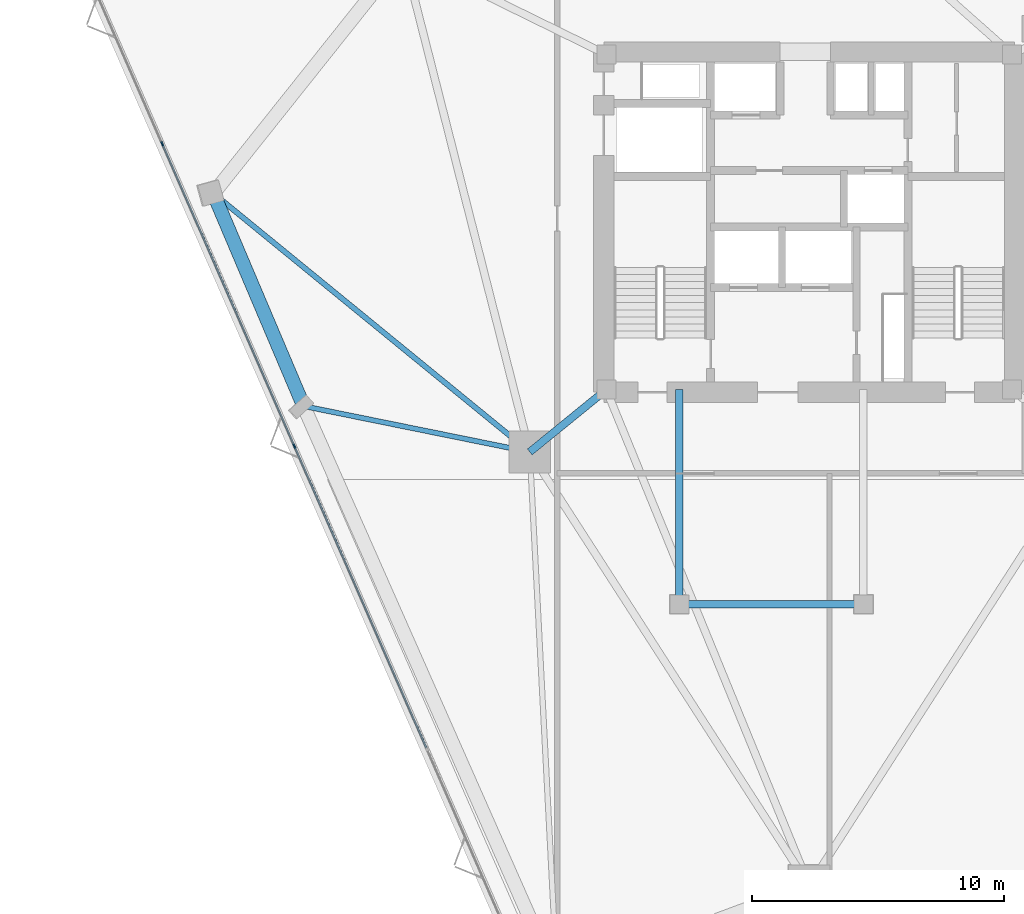
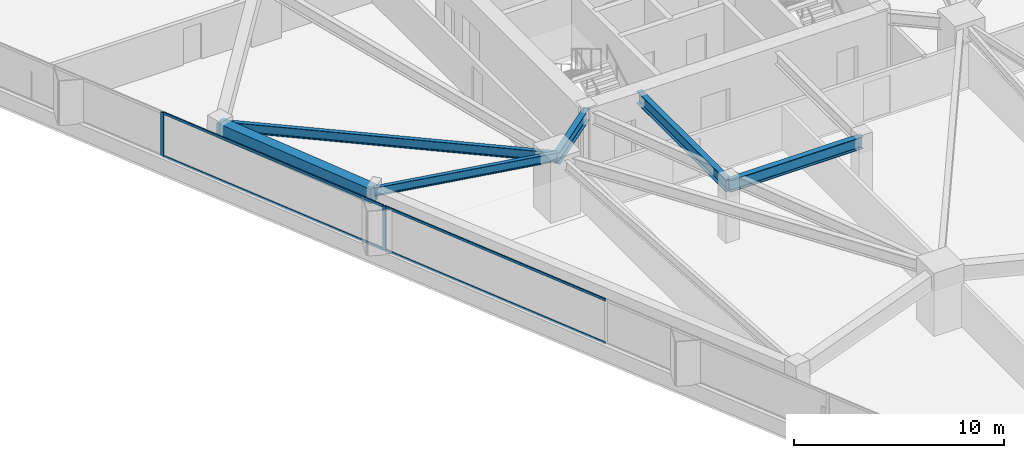
# One storey, part 5 of 18: 6 beams, 6 members, 1 element without a shape of its own.
"""IFC4 building model written with IfcOpenShell, lengths in metres."""

from ifc_helpers import new_model, si_unit, direction, frame, origin, origin_2d, place, context, subcontext, project, spatial, rectangle, i_section, extrude, material, layer, layer_set, material_profile, profile_set, type_object, element, aggregate, save


model = new_model("IFC4")

# Units and contexts
model_context = context("Model", 3, precision=1e-05, world=origin(), true_north=direction((0.0, 1.0)))
body_context = subcontext(model_context, "Body", "Model", "MODEL_VIEW")
ifc_project = project(units=[si_unit("LENGTHUNIT", "METRE"), si_unit("AREAUNIT", "SQUARE_METRE"), si_unit("VOLUMEUNIT", "CUBIC_METRE"), si_unit("PLANEANGLEUNIT", "RADIAN"), si_unit("MASSUNIT", "GRAM", prefix="KILO")], contexts=[model_context])

# Site, building, storey
site_placement = place(None, origin())
site = spatial("IfcSite", under=ifc_project, at=site_placement, CompositionType="ELEMENT")
building_placement = place(site_placement, origin())
building = spatial("IfcBuilding", under=site, at=building_placement, Name="Talyreon Biosciences Tower", CompositionType="ELEMENT")
storey_placement = place(building_placement, frame((0.0, 0.0, 89.60009765625)))
storey = spatial("IfcBuildingStorey", under=building, at=storey_placement, Name="L23", CompositionType="ELEMENT", Elevation=89.60009765625)

# Curtain wall, members
ifc_material_1 = material(Name="Thermally broken aluminium and low-E glazing", Category="aluminium")
ifc_layer = layer(ifc_material_1, 0.18994140625)
ifc_layer_set = layer_set([ifc_layer], Name="Thermally broken aluminium and low-E glazing")
curtain_wall_type = type_object("IfcCurtainWallType", Name="CurtainWall_Zone2Genomics", PredefinedType="NOTDEFINED", material=ifc_layer_set)
curtain_wall_placement = place(storey_placement, origin())
curtain_wall = element("IfcCurtainWall", 1, at=curtain_wall_placement, inside=storey, type_object=curtain_wall_type, Name="L23 Unitised Curtain Wall FCW-L23-00", PredefinedType="NOTDEFINED")
ifc_material_2 = material(Name="Anodised thermally broken aluminium", Category="aluminium")
ifc_material_profile_1 = material_profile(ifc_material_2, rectangle(XDim=0.06494140625, YDim=0.179931640625, at=origin_2d()), Name="ALUM MULLION 65x180")
ifc_profile_set_1 = profile_set([ifc_material_profile_1], Name="Anodised thermally broken aluminium")
member_type_1 = type_object("IfcMemberType", Name="CWMullion_65x180", PredefinedType="MULLION", material=ifc_profile_set_1)
member_1_placement = place(storey_placement, frame((45.5771484375, 59.11083984375, 0.809814453125), z_axis=(0.0, 0.0, 1.0), x_axis=(-0.916278218967, -0.400542414041, 0.0)))
member_1 = element("IfcMember", 2, at=member_1_placement, type_object=member_type_1, Name="CW3 mullion 4", PredefinedType="MULLION", context=body_context, shape_type="SweptSolid", body=[
    extrude(rectangle(XDim=0.06494140625, YDim=0.179931640625, at=origin_2d()), origin(), (0.0, 0.0, 1.0), 2.565185546875),
])
member_2_placement = place(storey_placement, frame((40.333251953125, 71.106689453125, 0.809814453125), z_axis=(0.0, 0.0, 1.0), x_axis=(-0.916278218967, -0.400542414041, 0.0)))
member_2 = element("IfcMember", 3, at=member_2_placement, type_object=member_type_1, Name="CW3 mullion 5", PredefinedType="MULLION", context=body_context, shape_type="SweptSolid", body=[
    extrude(rectangle(XDim=0.06494140625, YDim=0.179931640625, at=origin_2d()), origin(), (0.0, 0.0, 1.0), 2.565185546875),
])
ifc_material_profile_2 = material_profile(ifc_material_2, rectangle(XDim=0.06494140625, YDim=0.139892578125, at=origin_2d()), Name="ALUM TRANSOM 65x140")
ifc_profile_set_2 = profile_set([ifc_material_profile_2], Name="Anodised thermally broken aluminium")
member_type_2 = type_object("IfcMemberType", Name="CWTransom_65x140", PredefinedType="USERDEFINED", material=ifc_profile_set_2)
member_3_placement = place(storey_placement, frame((50.807861328125, 47.14501953125, 0.84228515625), z_axis=(-0.400538617789, 0.916279878454, 0.0), x_axis=(-0.916279878454, -0.400538617789, 0.0)))
member_3 = element("IfcMember", 4, at=member_3_placement, type_object=member_type_2, Name="CW3 transom 3.1", ObjectType="TRANSOM", PredefinedType="USERDEFINED", context=body_context, shape_type="SweptSolid", body=[
    extrude(rectangle(XDim=0.06494140625, YDim=0.139892578125, at=origin_2d()), origin(), (0.0, 0.0, 1.0), 13.02685546875),
])
member_4_placement = place(storey_placement, frame((50.807861328125, 47.14501953125, 3.34228515625), z_axis=(-0.400538617789, 0.916279878454, 0.0), x_axis=(-0.916279878454, -0.400538617789, 0.0)))
member_4 = element("IfcMember", 5, at=member_4_placement, type_object=member_type_2, Name="CW3 transom 3.2", ObjectType="TRANSOM", PredefinedType="USERDEFINED", context=body_context, shape_type="SweptSolid", body=[
    extrude(rectangle(XDim=0.06494140625, YDim=0.139892578125, at=origin_2d()), origin(), (0.0, 0.0, 1.0), 13.02685546875),
])
member_5_placement = place(storey_placement, frame((45.564208984375, 59.140625, 0.84228515625), z_axis=(-0.400554352205, 0.916273000218, 0.0), x_axis=(-0.916273000218, -0.400554352205, 0.0)))
member_5 = element("IfcMember", 6, at=member_5_placement, type_object=member_type_2, Name="CW3 transom 4.1", ObjectType="TRANSOM", PredefinedType="USERDEFINED", context=body_context, shape_type="SweptSolid", body=[
    extrude(rectangle(XDim=0.06494140625, YDim=0.139892578125, at=origin_2d()), origin(), (0.0, 0.0, 1.0), 13.027099609375),
])
member_6_placement = place(storey_placement, frame((45.564208984375, 59.140625, 3.34228515625), z_axis=(-0.400554352205, 0.916273000218, 0.0), x_axis=(-0.916273000218, -0.400554352205, 0.0)))
member_6 = element("IfcMember", 7, at=member_6_placement, type_object=member_type_2, Name="CW3 transom 4.2", ObjectType="TRANSOM", PredefinedType="USERDEFINED", context=body_context, shape_type="SweptSolid", body=[
    extrude(rectangle(XDim=0.06494140625, YDim=0.139892578125, at=origin_2d()), origin(), (0.0, 0.0, 1.0), 13.027099609375),
])
aggregate(curtain_wall, [member_1, member_2, member_3, member_4, member_5, member_6])

# Beams
ifc_material_3 = material(Name="Precast concrete C45/55", Category="concrete")
ifc_material_profile_3 = material_profile(ifc_material_3, rectangle(XDim=0.550048828125, YDim=0.85009765625, at=origin_2d()), Name="RCB 550x850")
ifc_profile_set_3 = profile_set([ifc_material_profile_3], Name="Precast concrete C45/55")
beam_type_1 = type_object("IfcBeamType", Name="ExpressedSpandrel_550x850", PredefinedType="SPANDREL", material=ifc_profile_set_3)
beam_1_placement = place(storey_placement, frame((42.362548828125, 69.13623046875, 2.949951171875), z_axis=(0.390505378478, -0.920600645981, 0.0), x_axis=(0.920600645981, 0.390505378478, 0.0)))
element("IfcBeam", 8, at=beam_1_placement, inside=storey, type_object=beam_type_1, Name="L23 Expressed Horizontal Concrete Spandrel 10", PredefinedType="SPANDREL", context=body_context, shape_type="SweptSolid", body=[
    extrude(rectangle(XDim=0.550048828125, YDim=0.85009765625, at=origin_2d()), origin(), (0.0, 0.0, 1.0), 9.164794921875),
])
ifc_material_4 = material(Name="Steel SM355", Category="steel")
ifc_material_profile_4 = material_profile(ifc_material_4, i_section(OverallWidth=0.300048828125, OverallDepth=0.699951171875, WebThickness=0.01708984375, FlangeThickness=0.031982421875, FilletRadius=0.027099609375, at=origin_2d()), Name="HE700B")
ifc_profile_set_4 = profile_set([ifc_material_profile_4], Name="Steel SM355")
beam_type_2 = type_object("IfcBeamType", Name="SteelGirder_HE700B", PredefinedType="BEAM", material=ifc_profile_set_4)
beam_2_placement = place(storey_placement, frame((57.949951171875, 61.35009765625, 3.02490234375), z_axis=(-0.775755154013, -0.631034025249, 0.0), x_axis=(0.631034025249, -0.775755154013, 0.0)))
element("IfcBeam", 9, at=beam_2_placement, inside=storey, type_object=beam_type_2, Name="L23 Radial Primary Girder 6", PredefinedType="BEAM", context=body_context, shape_type="SweptSolid", body=[
    extrude(i_section(OverallWidth=0.300048828125, OverallDepth=0.699951171875, WebThickness=0.01708984375, FlangeThickness=0.031982421875, FilletRadius=0.027099609375, at=origin_2d()), origin(), (0.0, 0.0, 1.0), 3.913818359375),
])
beam_3_placement = place(storey_placement, frame((60.85009765625, 52.840087890625, 3.02490234375), z_axis=(1.0, 0.0, 0.0), x_axis=(0.0, 1.0, 0.0)))
element("IfcBeam", 10, at=beam_3_placement, inside=storey, type_object=beam_type_2, Name="L23 Crown Shaft Spine Girder S", PredefinedType="BEAM", context=body_context, shape_type="SweptSolid", body=[
    extrude(i_section(OverallWidth=0.300048828125, OverallDepth=0.699951171875, WebThickness=0.01708984375, FlangeThickness=0.031982421875, FilletRadius=0.027099609375, at=origin_2d()), origin(), (0.0, 0.0, 1.0), 7.2998046875),
])
beam_4_placement = place(storey_placement, frame((60.85009765625, 52.840087890625, 3.02490234375), z_axis=(0.0, 1.0, 0.0), x_axis=(-1.0, 0.0, 0.0)))
element("IfcBeam", 11, at=beam_4_placement, inside=storey, type_object=beam_type_2, Name="L23 Crown Shaft Tie Girder W", PredefinedType="BEAM", context=body_context, shape_type="SweptSolid", body=[
    extrude(i_section(OverallWidth=0.300048828125, OverallDepth=0.699951171875, WebThickness=0.01708984375, FlangeThickness=0.031982421875, FilletRadius=0.027099609375, at=origin_2d()), origin(), (0.0, 0.0, 1.0), 8.510009765625),
])
ifc_material_profile_5 = material_profile(ifc_material_4, i_section(OverallWidth=0.199951171875, OverallDepth=0.5, WebThickness=0.01025390625, FlangeThickness=0.01611328125, FilletRadius=0.02099609375, at=origin_2d()), Name="IPE500")
ifc_profile_set_5 = profile_set([ifc_material_profile_5], Name="Steel SM355")
beam_type_3 = type_object("IfcBeamType", Name="SteelJoist_IPE500", PredefinedType="JOIST", material=ifc_profile_set_5)
beam_5_placement = place(storey_placement, frame((54.913818359375, 58.88037109375, 3.125), z_axis=(-0.980065521242, 0.198674543094, 0.0), x_axis=(-0.198674543094, -0.980065521242, 0.0)))
element("IfcBeam", 12, at=beam_5_placement, inside=storey, type_object=beam_type_3, Name="L23 Radial Composite Floor Joist PL-SW", PredefinedType="JOIST", context=body_context, shape_type="SweptSolid", body=[
    extrude(i_section(OverallWidth=0.199951171875, OverallDepth=0.5, WebThickness=0.01025390625, FlangeThickness=0.01611328125, FilletRadius=0.02099609375, at=origin_2d()), origin(), (0.0, 0.0, 1.0), 9.155029296875),
])
ifc_material_profile_6 = material_profile(ifc_material_4, i_section(OverallWidth=0.2099609375, OverallDepth=0.550048828125, WebThickness=0.010986328125, FlangeThickness=0.01708984375, FilletRadius=0.02392578125, at=origin_2d()), Name="IPE550")
ifc_profile_set_6 = profile_set([ifc_material_profile_6], Name="Steel SM355")
beam_type_4 = type_object("IfcBeamType", Name="SteelJoist_IPE550", PredefinedType="JOIST", material=ifc_profile_set_6)
beam_6_placement = place(storey_placement, frame((54.913818359375, 58.88037109375, 3.099853515625), z_axis=(-0.774361143749, 0.632743881086, 0.0), x_axis=(-0.632743881086, -0.774361143749, 0.0)))
element("IfcBeam", 13, at=beam_6_placement, inside=storey, type_object=beam_type_4, Name="L23 Radial Composite Floor Joist PC-SW1", PredefinedType="JOIST", context=body_context, shape_type="SweptSolid", body=[
    extrude(i_section(OverallWidth=0.2099609375, OverallDepth=0.550048828125, WebThickness=0.010986328125, FlangeThickness=0.01708984375, FilletRadius=0.02392578125, at=origin_2d()), origin(), (0.0, 0.0, 1.0), 16.20849609375),
])

save(model, "model.ifc")
